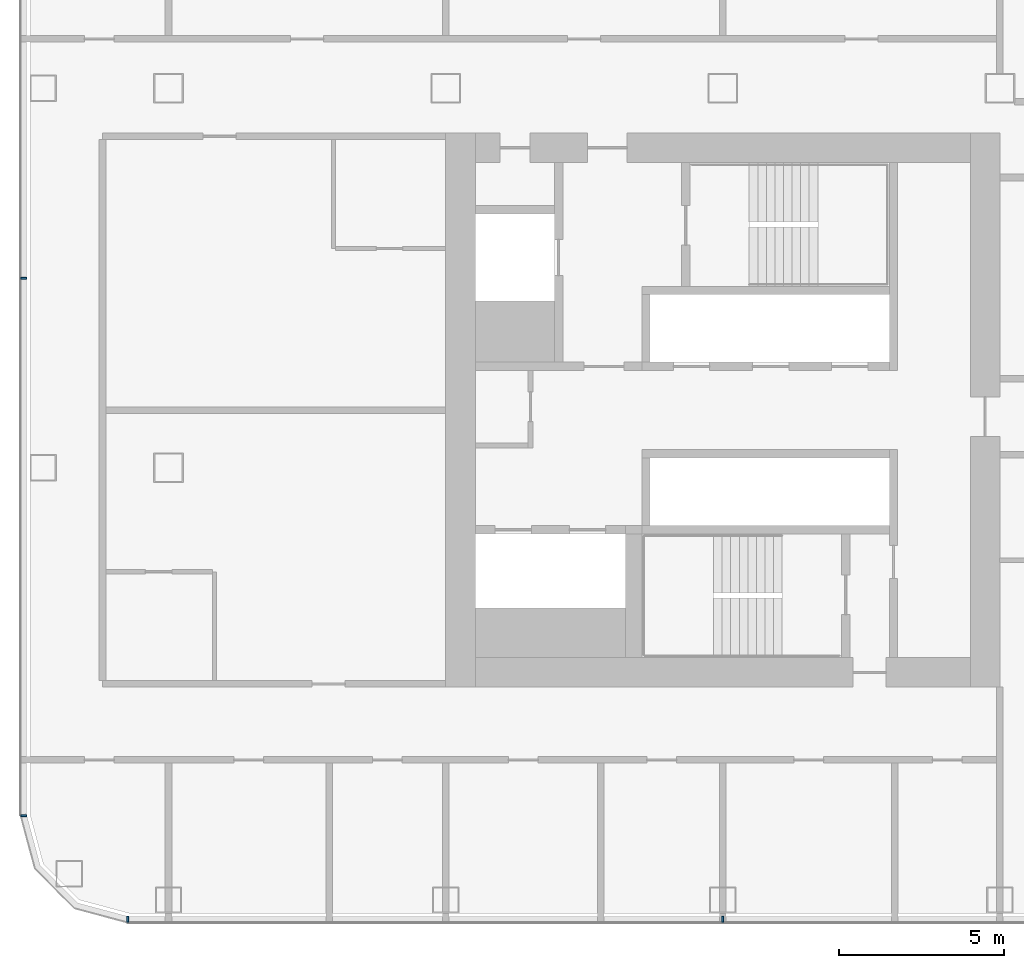
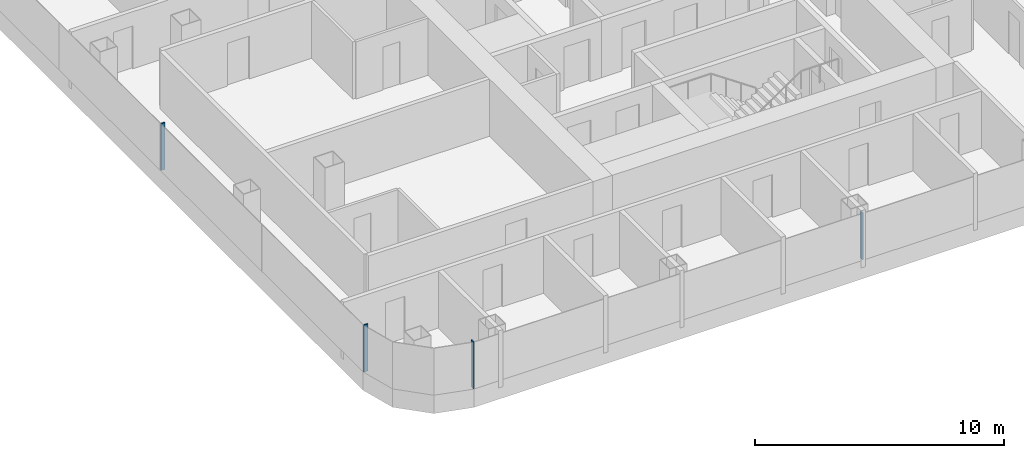
# One storey, part 2 of 29: 4 members, 2 elements without a shape of their own.
"""IFC4 building model written with IfcOpenShell, lengths in metres."""

from ifc_helpers import new_model, si_unit, direction, frame, origin, origin_2d, place, context, subcontext, project, spatial, rectangle, extrude, material, layer, layer_set, material_profile, profile_set, type_object, element, aggregate, save


model = new_model("IFC4")

# Units and contexts
model_context = context("Model", 3, precision=1e-05, world=origin(), true_north=direction((0.0, 1.0)))
body_context = subcontext(model_context, "Body", "Model", "MODEL_VIEW")
ifc_project = project(units=[si_unit("LENGTHUNIT", "METRE"), si_unit("AREAUNIT", "SQUARE_METRE"), si_unit("VOLUMEUNIT", "CUBIC_METRE"), si_unit("PLANEANGLEUNIT", "RADIAN"), si_unit("MASSUNIT", "GRAM", prefix="KILO")], contexts=[model_context])

# Site, building, storey
site_placement = place(None, origin())
site = spatial("IfcSite", under=ifc_project, at=site_placement, CompositionType="ELEMENT")
building_placement = place(site_placement, origin())
building = spatial("IfcBuilding", under=site, at=building_placement, Name="Hakoniwa Tower and Hamabe Station Hall", CompositionType="ELEMENT")
storey_placement = place(building_placement, frame((0.0, 0.0, 88.199951171875)))
storey = spatial("IfcBuildingStorey", under=building, at=storey_placement, Name="L24", CompositionType="ELEMENT", Elevation=88.199951171875)

# Curtain wall, members
ifc_material_1 = material(Name="Dark low-e laminated glass", Category="glass")
ifc_layer = layer(ifc_material_1, 0.199951171875)
ifc_layer_set = layer_set([ifc_layer], Name="CW-1 UNITISED GUEST")
curtain_wall_type = type_object("IfcCurtainWallType", Name="CW-1 UNITISED GUEST", PredefinedType="NOTDEFINED", material=ifc_layer_set)
curtain_wall_1_placement = place(storey_placement, origin())
curtain_wall_1 = element("IfcCurtainWall", 1, at=curtain_wall_1_placement, inside=storey, type_object=curtain_wall_type, Name="CW-1 curtain wall", PredefinedType="NOTDEFINED")
ifc_material_2 = material(Name="Aluminium 6063-T5 black anodised", Category="aluminium")
ifc_material_profile = material_profile(ifc_material_2, rectangle(XDim=0.06005859375, YDim=0.179931640625, at=origin_2d()), Name="CW-1 MULLION 60X180")
ifc_profile_set = profile_set([ifc_material_profile], Name="Aluminium 6063-T5 black anodised")
member_type = type_object("IfcMemberType", Name="CW-1 MULLION 60X180", PredefinedType="MULLION", material=ifc_profile_set)
member_1_placement = place(storey_placement, frame((-46.382080078125, 4.0, 0.35009765625), z_axis=(0.0, 0.0, 1.0), x_axis=(0.0, -1.0, 0.0)))
member_1 = element("IfcMember", 2, at=member_1_placement, type_object=member_type, Name="CW-1 mullion", PredefinedType="MULLION", context=body_context, shape_type="SweptSolid", body=[
    extrude(rectangle(XDim=0.06005859375, YDim=0.179931640625, at=origin_2d()), origin(), (0.0, 0.0, 1.0), 2.300048828125),
])
member_2_placement = place(storey_placement, frame((-46.382080078125, -12.28955078125, 0.35009765625), z_axis=(0.0, 0.0, 1.0), x_axis=(0.0, -1.0, 0.0)))
member_2 = element("IfcMember", 3, at=member_2_placement, type_object=member_type, Name="CW-1 mullion", PredefinedType="MULLION", context=body_context, shape_type="SweptSolid", body=[
    extrude(rectangle(XDim=0.06005859375, YDim=0.179931640625, at=origin_2d()), origin(), (0.0, 0.0, 1.0), 2.300048828125),
])
aggregate(curtain_wall_1, [member_1, member_2])

curtain_wall_2_placement = place(storey_placement, origin())
curtain_wall_2 = element("IfcCurtainWall", 4, at=curtain_wall_2_placement, inside=storey, type_object=curtain_wall_type, Name="CW-1 curtain wall", PredefinedType="NOTDEFINED")
member_3_placement = place(storey_placement, frame((-43.239501953125, -15.431884765625, 0.35009765625), z_axis=(0.0, 0.0, 1.0), x_axis=(1.0, 0.0, 0.0)))
member_3 = element("IfcMember", 5, at=member_3_placement, type_object=member_type, Name="CW-1 mullion", PredefinedType="MULLION", context=body_context, shape_type="SweptSolid", body=[
    extrude(rectangle(XDim=0.06005859375, YDim=0.179931640625, at=origin_2d()), origin(), (0.0, 0.0, 1.0), 2.300048828125),
])
member_4_placement = place(storey_placement, frame((-25.199951171875, -15.431884765625, 0.35009765625), z_axis=(0.0, 0.0, 1.0), x_axis=(1.0, 0.0, 0.0)))
member_4 = element("IfcMember", 6, at=member_4_placement, type_object=member_type, Name="CW-1 mullion", PredefinedType="MULLION", context=body_context, shape_type="SweptSolid", body=[
    extrude(rectangle(XDim=0.06005859375, YDim=0.179931640625, at=origin_2d()), origin(), (0.0, 0.0, 1.0), 2.300048828125),
])
aggregate(curtain_wall_2, [member_3, member_4])

save(model, "model.ifc")
